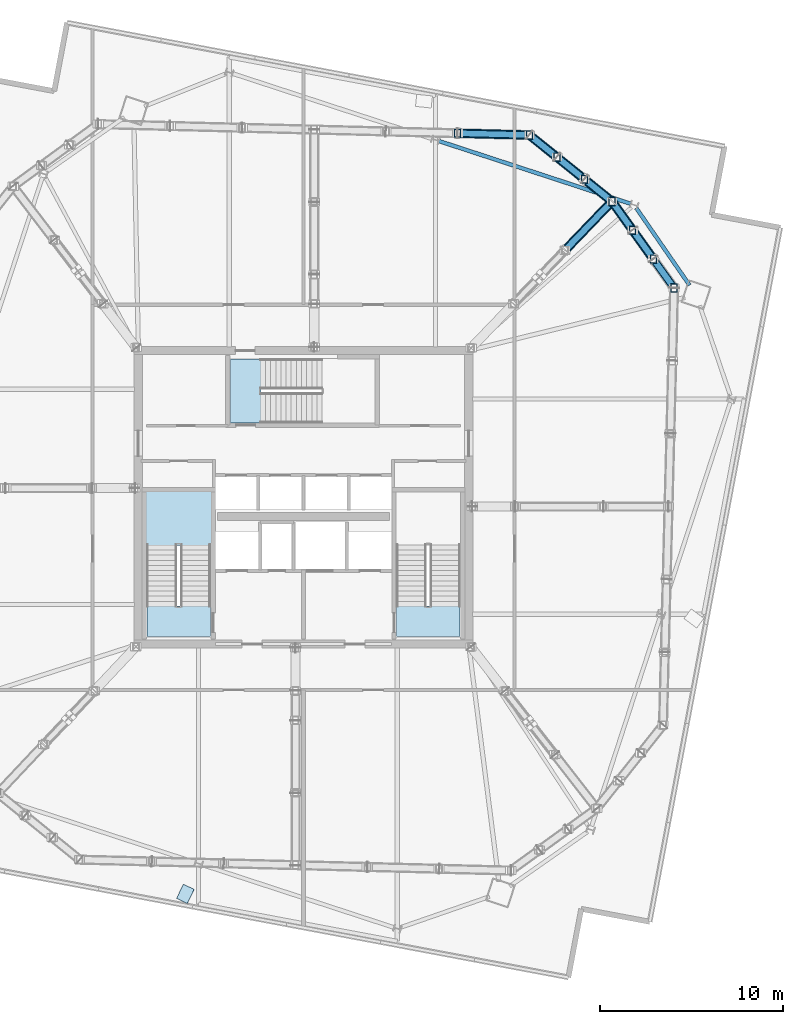
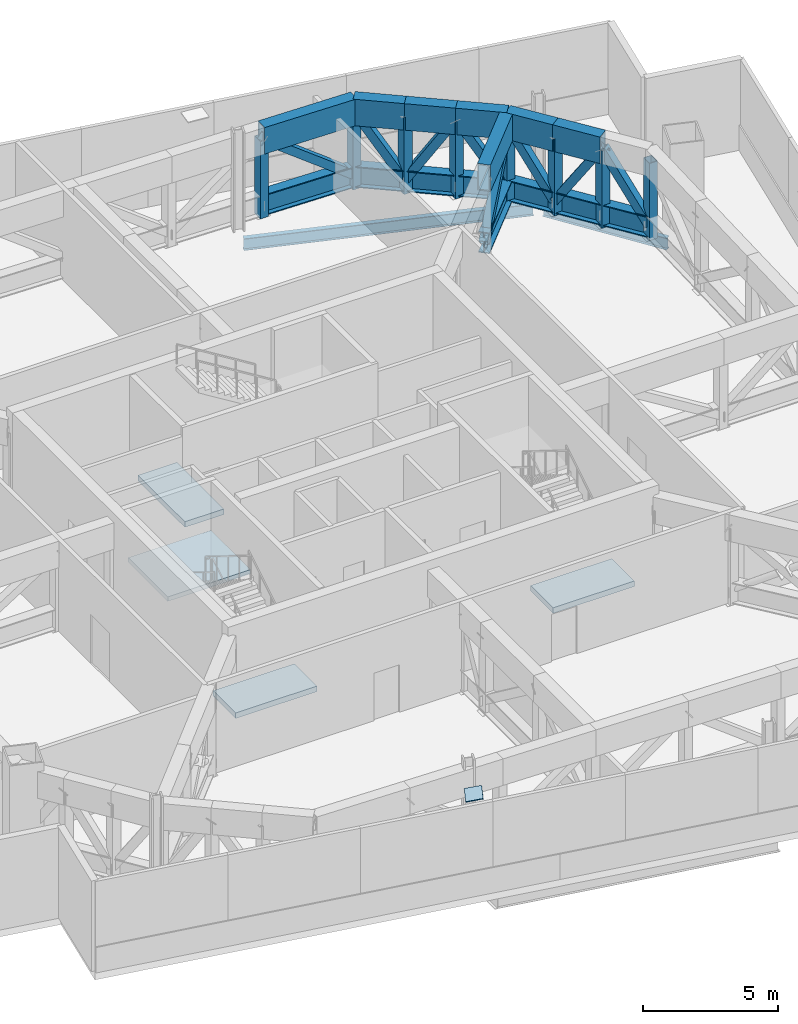
# One storey, part 5 of 15: 31 members, 4 slabs, 2 beams, 1 plate, 1 element without a shape of its own.
"""IFC4 building model written with IfcOpenShell, lengths in metres."""

from ifc_helpers import new_model, si_unit, direction, frame, origin, origin_2d, place, context, subcontext, project, spatial, polyline, rectangle, hollow_rectangle, i_section, outline, extrude, source, transform, mapped, material, layer, layer_set, material_profile, profile_set, type_object, element, aggregate, save


model = new_model("IFC4")

# Units and contexts
model_context = context("Model", 3, precision=1e-05, world=origin(), true_north=direction((0.0, 1.0)))
body_context = subcontext(model_context, "Body", "Model", "MODEL_VIEW")
ifc_project = project(units=[si_unit("LENGTHUNIT", "METRE"), si_unit("AREAUNIT", "SQUARE_METRE"), si_unit("VOLUMEUNIT", "CUBIC_METRE"), si_unit("PLANEANGLEUNIT", "RADIAN"), si_unit("MASSUNIT", "GRAM", prefix="KILO")], contexts=[model_context])

# Site, building, storey
site_placement = place(None, origin())
site = spatial("IfcSite", under=ifc_project, at=site_placement, CompositionType="ELEMENT")
building_placement = place(site_placement, origin())
building = spatial("IfcBuilding", under=site, at=building_placement, Name="Haldenkirk Collegiate Tower", CompositionType="ELEMENT")
storey_placement = place(building_placement, frame((0.0, 0.0, 293.699951171875)))
storey = spatial("IfcBuildingStorey", under=building, at=storey_placement, Name="L74", CompositionType="ELEMENT", Elevation=293.699951171875)

# Beams
ifc_material_1 = material(Name="Steel ASTM A992 Grade 50", Category="steel")
ifc_material_profile_1 = material_profile(ifc_material_1, i_section(OverallWidth=0.2099609375, OverallDepth=0.537109375, WebThickness=0.010986328125, FlangeThickness=0.017333984375, at=origin_2d()), Name="W21X68")
ifc_profile_set_1 = profile_set([ifc_material_profile_1], Name="Steel ASTM A992 Grade 50")
beam_type = type_object("IfcBeamType", Name="BM-SPANDREL-W21X68", PredefinedType="SPANDREL", material=ifc_profile_set_1)
beam_1_placement = place(storey_placement, frame((57.037841796875, 37.56201171875, -0.678466796875), z_axis=(-0.568092176681, 0.822964931692, 0.0), x_axis=(-0.822964931692, -0.568092176681, 0.0)))
element("IfcBeam", 1, at=beam_1_placement, inside=storey, type_object=beam_type, Name="L74 perimeter spandrel beam 05", PredefinedType="SPANDREL", context=body_context, shape_type="SweptSolid", body=[
    extrude(i_section(OverallWidth=0.2099609375, OverallDepth=0.537109375, WebThickness=0.010986328125, FlangeThickness=0.017333984375, at=origin_2d()), origin(), (0.0, 0.0, 1.0), 5.11328125),
])
beam_2_placement = place(storey_placement, frame((53.825439453125, 41.99951171875, -0.678466796875), z_axis=(-0.950402144652, 0.311023734531, 0.0), x_axis=(-0.311023734531, -0.950402144652, 0.0)))
element("IfcBeam", 2, at=beam_2_placement, inside=storey, type_object=beam_type, Name="L74 perimeter spandrel beam 06", PredefinedType="SPANDREL", context=body_context, shape_type="SweptSolid", body=[
    extrude(i_section(OverallWidth=0.2099609375, OverallDepth=0.537109375, WebThickness=0.010986328125, FlangeThickness=0.017333984375, at=origin_2d()), origin(), (0.0, 0.0, 1.0), 10.98779296875),
])

# Members
ifc_material_2 = material(Name="Steel ASTM A572 Grade 50", Category="steel")
ifc_material_profile_2 = material_profile(ifc_material_2, hollow_rectangle(XDim=0.5, YDim=1.199951171875, WallThickness=0.050048828125, at=origin_2d()), Name="BOX1200X500X50")
ifc_profile_set_2 = profile_set([ifc_material_profile_2], Name="Steel ASTM A572 Grade 50")
member_type_1 = type_object("IfcMemberType", Name="MBR-CHORD-BOX1200", PredefinedType="CHORD", material=ifc_profile_set_2)
member_1_placement = place(storey_placement, frame((50.255126953125, 39.468017578125, 3.5), z_axis=(0.692981832491, 0.720955047029, 0.0), x_axis=(-0.720955047029, 0.692981832491, 0.0)))
element("IfcMember", 3, at=member_1_placement, inside=storey, type_object=member_type_1, Name="Outrigger Truss L74 Radial 02 top chord 3", PredefinedType="CHORD", context=body_context, shape_type="SweptSolid", body=[
    extrude(hollow_rectangle(XDim=0.5, YDim=1.199951171875, WallThickness=0.050048828125, at=origin_2d()), origin(), (0.0, 0.0, 1.0), 3.69189453125),
])
for number, where, z_axis, x_axis, name in (
    (4, (55.068115234375, 38.982421875, 3.5), (-0.582442555928, 0.812871865083, 0.0), (-0.812871865083, -0.582442555928, 0.0), "Belt Truss L74-04 top chord 2"),
    (5, (53.940673828125, 40.555908203125, 3.5), (-0.582299499263, 0.812974349631, 0.0), (-0.812974349631, -0.582299499263, 0.0), "Belt Truss L74-04 top chord 3"),
):
    element("IfcMember", number, at=place(storey_placement, frame(where, z_axis=z_axis, x_axis=x_axis)), inside=storey, type_object=member_type_1, Name=name, PredefinedType="CHORD", context=body_context, shape_type="SweptSolid", body=[
        extrude(hollow_rectangle(XDim=0.5, YDim=1.199951171875, WallThickness=0.050048828125, at=origin_2d()), origin(), (0.0, 0.0, 1.0), 1.935791015625),
    ])
member_2_placement = place(storey_placement, frame((52.8134765625, 42.129638671875, 3.5), z_axis=(-0.779679248383, 0.626179103485, 0.0), x_axis=(-0.626179103485, -0.779679248383, 0.0)))
element("IfcMember", 6, at=member_2_placement, inside=storey, type_object=member_type_1, Name="Belt Truss L74-05 top chord 1", PredefinedType="CHORD", context=body_context, shape_type="SweptSolid", body=[
    extrude(hollow_rectangle(XDim=0.5, YDim=1.199951171875, WallThickness=0.050048828125, at=origin_2d()), origin(), (0.0, 0.0, 1.0), 1.924560546875),
])
for number, where, z_axis, x_axis, name in (
    (7, (51.31298828125, 43.334716796875, 3.5), (-0.779728982697, 0.626117172375, 0.0), (-0.626117172375, -0.779728982697, 0.0), "Belt Truss L74-05 top chord 2"),
    (8, (49.812255859375, 44.539794921875, 3.5), (-0.779728982697, 0.626117172375, 0.0), (-0.626117172375, -0.779728982697, 0.0), "Belt Truss L74-05 top chord 3"),
):
    element("IfcMember", number, at=place(storey_placement, frame(where, z_axis=z_axis, x_axis=x_axis)), inside=storey, type_object=member_type_1, Name=name, PredefinedType="CHORD", context=body_context, shape_type="SweptSolid", body=[
        extrude(hollow_rectangle(XDim=0.5, YDim=1.199951171875, WallThickness=0.050048828125, at=origin_2d()), origin(), (0.0, 0.0, 1.0), 1.9248046875),
    ])
member_3_placement = place(storey_placement, frame((48.3115234375, 45.744873046875, 3.5), z_axis=(-0.999680351897, 0.025282286906, 0.0), x_axis=(-0.025282286906, -0.999680351897, 0.0)))
element("IfcMember", 9, at=member_3_placement, inside=storey, type_object=member_type_1, Name="Belt Truss L74-06 top chord 1", PredefinedType="CHORD", context=body_context, shape_type="SweptSolid", body=[
    extrude(hollow_rectangle(XDim=0.5, YDim=1.199951171875, WallThickness=0.050048828125, at=origin_2d()), origin(), (0.0, 0.0, 1.0), 3.910888671875),
])
ifc_material_3 = material(Name="Steel ASTM A913 Grade 65", Category="steel")
ifc_material_profile_3 = material_profile(ifc_material_3, i_section(OverallWidth=0.423095703125, OverallDepth=0.947998046875, WebThickness=0.02392578125, FlangeThickness=0.042724609375, at=origin_2d()), Name="W36X302")
ifc_profile_set_3 = profile_set([ifc_material_profile_3], Name="Steel ASTM A913 Grade 65")
member_type_2 = type_object("IfcMemberType", Name="MBR-CHORD-W36X302", PredefinedType="CHORD", material=ifc_profile_set_3)
member_4_placement = place(storey_placement, frame((50.255126953125, 39.468017578125, 0.550048828125), z_axis=(0.692981832491, 0.720955047029, 0.0), x_axis=(-0.720955047029, 0.692981832491, 0.0)))
element("IfcMember", 10, at=member_4_placement, inside=storey, type_object=member_type_2, Name="Outrigger Truss L74 Radial 02 bottom chord 3", PredefinedType="CHORD", context=body_context, shape_type="SweptSolid", body=[
    extrude(i_section(OverallWidth=0.423095703125, OverallDepth=0.947998046875, WebThickness=0.02392578125, FlangeThickness=0.042724609375, at=origin_2d()), origin(), (0.0, 0.0, 1.0), 3.69189453125),
])
for number, where, z_axis, x_axis, name in (
    (11, (56.1953125, 37.40869140625, 0.550048828125), (-0.582299499263, 0.812974349631, 0.0), (-0.812974349631, -0.582299499263, 0.0), "Belt Truss L74-04 bottom chord 1"),
    (12, (55.068115234375, 38.982421875, 0.550048828125), (-0.582442555928, 0.812871865083, 0.0), (-0.812871865083, -0.582442555928, 0.0), "Belt Truss L74-04 bottom chord 2"),
    (13, (53.940673828125, 40.555908203125, 0.550048828125), (-0.582299499263, 0.812974349631, 0.0), (-0.812974349631, -0.582299499263, 0.0), "Belt Truss L74-04 bottom chord 3"),
):
    element("IfcMember", number, at=place(storey_placement, frame(where, z_axis=z_axis, x_axis=x_axis)), inside=storey, type_object=member_type_2, Name=name, PredefinedType="CHORD", context=body_context, shape_type="SweptSolid", body=[
        extrude(i_section(OverallWidth=0.423095703125, OverallDepth=0.947998046875, WebThickness=0.02392578125, FlangeThickness=0.042724609375, at=origin_2d()), origin(), (0.0, 0.0, 1.0), 1.935791015625),
    ])
member_5_placement = place(storey_placement, frame((52.8134765625, 42.129638671875, 0.550048828125), z_axis=(-0.779679248383, 0.626179103485, 0.0), x_axis=(-0.626179103485, -0.779679248383, 0.0)))
element("IfcMember", 14, at=member_5_placement, inside=storey, type_object=member_type_2, Name="Belt Truss L74-05 bottom chord 1", PredefinedType="CHORD", context=body_context, shape_type="SweptSolid", body=[
    extrude(i_section(OverallWidth=0.423095703125, OverallDepth=0.947998046875, WebThickness=0.02392578125, FlangeThickness=0.042724609375, at=origin_2d()), origin(), (0.0, 0.0, 1.0), 1.924560546875),
])
for number, where, z_axis, x_axis, name in (
    (15, (51.31298828125, 43.334716796875, 0.550048828125), (-0.779728982697, 0.626117172375, 0.0), (-0.626117172375, -0.779728982697, 0.0), "Belt Truss L74-05 bottom chord 2"),
    (16, (49.812255859375, 44.539794921875, 0.550048828125), (-0.779728982697, 0.626117172375, 0.0), (-0.626117172375, -0.779728982697, 0.0), "Belt Truss L74-05 bottom chord 3"),
):
    element("IfcMember", number, at=place(storey_placement, frame(where, z_axis=z_axis, x_axis=x_axis)), inside=storey, type_object=member_type_2, Name=name, PredefinedType="CHORD", context=body_context, shape_type="SweptSolid", body=[
        extrude(i_section(OverallWidth=0.423095703125, OverallDepth=0.947998046875, WebThickness=0.02392578125, FlangeThickness=0.042724609375, at=origin_2d()), origin(), (0.0, 0.0, 1.0), 1.9248046875),
    ])
member_6_placement = place(storey_placement, frame((48.3115234375, 45.744873046875, 0.550048828125), z_axis=(-0.999680351897, 0.025282286906, 0.0), x_axis=(-0.025282286906, -0.999680351897, 0.0)))
element("IfcMember", 17, at=member_6_placement, inside=storey, type_object=member_type_2, Name="Belt Truss L74-06 bottom chord 1", PredefinedType="CHORD", context=body_context, shape_type="SweptSolid", body=[
    extrude(i_section(OverallWidth=0.423095703125, OverallDepth=0.947998046875, WebThickness=0.02392578125, FlangeThickness=0.042724609375, at=origin_2d()), origin(), (0.0, 0.0, 1.0), 3.910888671875),
])
ifc_material_profile_4 = material_profile(ifc_material_2, hollow_rectangle(XDim=0.35009765625, YDim=0.35009765625, WallThickness=0.01611328125, at=origin_2d()), Name="HSS350X350X16")
ifc_profile_set_4 = profile_set([ifc_material_profile_4], Name="Steel ASTM A572 Grade 50")
member_type_3 = type_object("IfcMemberType", Name="MBR-TRUSSDIAG-HSS350X350X16", PredefinedType="BRACE", material=ifc_profile_set_4)
member_7_placement = place(storey_placement, frame((50.255126953125, 39.468017578125, 0.550048828125), z_axis=(0.541377316507, 0.563230795358, 0.624244881702), x_axis=(-0.720955047029, 0.692981832491, 0.0)))
element("IfcMember", 18, at=member_7_placement, inside=storey, type_object=member_type_3, Name="Outrigger Truss L74 Radial 02 web diagonal 3", PredefinedType="BRACE", context=body_context, shape_type="SweptSolid", body=[
    extrude(hollow_rectangle(XDim=0.35009765625, YDim=0.35009765625, WallThickness=0.01611328125, at=origin_2d()), origin(), (0.0, 0.0, 1.0), 4.7255859375),
])
for number, where, z_axis, x_axis, name in (
    (19, (56.1953125, 37.40869140625, 0.550048828125), (-0.319466619459, 0.446021622057, 0.836065662319), (-0.812974349631, -0.582299499263, 0.0), "Belt Truss L74-04 web diagonal 1"),
    (20, (55.068115234375, 38.982421875, 3.5), (-0.319538609624, 0.445956331535, -0.836072979664), (-0.812871865083, -0.582442555928, 0.0), "Belt Truss L74-04 web diagonal 2"),
    (21, (53.940673828125, 40.555908203125, 0.550048828125), (-0.319466619459, 0.446021622057, 0.836065662319), (-0.812974349631, -0.582299499263, 0.0), "Belt Truss L74-04 web diagonal 3"),
):
    element("IfcMember", number, at=place(storey_placement, frame(where, z_axis=z_axis, x_axis=x_axis)), inside=storey, type_object=member_type_3, Name=name, PredefinedType="BRACE", context=body_context, shape_type="SweptSolid", body=[
        extrude(hollow_rectangle(XDim=0.35009765625, YDim=0.35009765625, WallThickness=0.01611328125, at=origin_2d()), origin(), (0.0, 0.0, 1.0), 3.5283203125),
    ])
for number, where, z_axis, x_axis, name in (
    (22, (52.8134765625, 42.129638671875, 0.550048828125), (-0.426008868237, 0.342137939085, 0.837530939621), (-0.626179103485, -0.779679248383, 0.0), "Belt Truss L74-05 web diagonal 1"),
    (23, (51.31298828125, 43.334716796875, 3.5), (-0.426065601042, 0.342127835813, -0.837506207482), (-0.626117172375, -0.779728982697, 0.0), "Belt Truss L74-05 web diagonal 2"),
    (24, (49.812255859375, 44.539794921875, 0.550048828125), (-0.426065601042, 0.342127835813, 0.837506207482), (-0.626117172375, -0.779728982697, 0.0), "Belt Truss L74-05 web diagonal 3"),
):
    element("IfcMember", number, at=place(storey_placement, frame(where, z_axis=z_axis, x_axis=x_axis)), inside=storey, type_object=member_type_3, Name=name, PredefinedType="BRACE", context=body_context, shape_type="SweptSolid", body=[
        extrude(hollow_rectangle(XDim=0.35009765625, YDim=0.35009765625, WallThickness=0.01611328125, at=origin_2d()), origin(), (0.0, 0.0, 1.0), 3.522216796875),
    ])
member_8_placement = place(storey_placement, frame((48.3115234375, 45.744873046875, 0.550048828125), z_axis=(-0.798099330813, 0.020184228112, 0.602187724129), x_axis=(-0.025282286906, -0.999680351897, 0.0)))
element("IfcMember", 25, at=member_8_placement, inside=storey, type_object=member_type_3, Name="Belt Truss L74-06 web diagonal 1", PredefinedType="BRACE", context=body_context, shape_type="SweptSolid", body=[
    extrude(hollow_rectangle(XDim=0.35009765625, YDim=0.35009765625, WallThickness=0.01611328125, at=origin_2d()), origin(), (0.0, 0.0, 1.0), 4.898681640625),
])
ifc_material_profile_5 = material_profile(ifc_material_2, hollow_rectangle(XDim=0.35009765625, YDim=0.449951171875, WallThickness=0.02197265625, at=origin_2d()), Name="HSS450X350X22")
ifc_profile_set_5 = profile_set([ifc_material_profile_5], Name="Steel ASTM A572 Grade 50")
member_type_4 = type_object("IfcMemberType", Name="MBR-TRUSSPOST-HSS450X350X22", PredefinedType="POST", material=ifc_profile_set_5)
for number, where, z_axis, x_axis, name in (
    (26, (52.8134765625, 42.129638671875, 0.0), (0.0, 0.0, 1.0), (1.0, 0.0, 0.0), "Outrigger Truss L74 Radial 02 vertical post 4"),
    (27, (56.1953125, 37.40869140625, 0.0), (0.0, 0.0, 1.0), (1.0, 0.0, 0.0), "Belt Truss L74-03 vertical post 4"),
    (28, (55.068115234375, 38.982421875, 0.0), (0.0, 0.0, 1.0), (1.0, 0.0, 0.0), "Belt Truss L74-04 vertical post 2"),
    (29, (53.940673828125, 40.555908203125, 0.0), (0.0, 0.0, 1.0), (1.0, 0.0, 0.0), "Belt Truss L74-04 vertical post 3"),
    (30, (51.31298828125, 43.334716796875, 0.0), (0.0, 0.0, 1.0), (1.0, 0.0, 0.0), "Belt Truss L74-05 vertical post 2"),
    (31, (49.812255859375, 44.539794921875, 0.0), (0.0, 0.0, 1.0), (1.0, 0.0, 0.0), "Belt Truss L74-05 vertical post 3"),
    (32, (48.3115234375, 45.744873046875, 0.0), (0.0, 0.0, 1.0), (1.0, 0.0, 0.0), "Belt Truss L74-05 vertical post 4"),
    (33, (44.40185546875, 45.84375, 0.0), (0.0, 0.0, 1.0), (1.0, 0.0, 0.0), "Belt Truss L74-06 vertical post 2"),
):
    element("IfcMember", number, at=place(storey_placement, frame(where, z_axis=z_axis, x_axis=x_axis)), inside=storey, type_object=member_type_4, Name=name, PredefinedType="POST", context=body_context, shape_type="SweptSolid", body=[
        extrude(hollow_rectangle(XDim=0.35009765625, YDim=0.449951171875, WallThickness=0.02197265625, at=origin_2d()), origin(), (0.0, 0.0, 1.0), 3.5),
    ])

# Stair, slab
ifc_material_4 = material(Name="Concrete f'c 40 MPa", Category="concrete")
stair_type = type_object("IfcStairType", Name="STR-DOGLEG-1650", PredefinedType="HALF_TURN_STAIR", material=ifc_material_4)
stair_placement = place(storey_placement, origin())
stair = element("IfcStair", 34, at=stair_placement, inside=storey, type_object=stair_type, Name="L74 Core Exit Stair ST-1", PredefinedType="HALF_TURN_STAIR")
ifc_layer_1 = layer(ifc_material_4, 0.199951171875)
ifc_layer_set_1 = layer_set([ifc_layer_1], Name="Concrete f'c 40 MPa")
slab_type_1 = type_object("IfcSlabType", Name="SLB-LANDING-200", PredefinedType="LANDING", material=ifc_layer_set_1)
slab_1_placement = place(storey_placement, frame((0.0, 0.0, 2.050048828125)))
slab_1 = element("IfcSlab", 35, at=slab_1_placement, type_object=slab_type_1, Name="ST-1 landing 1", PredefinedType="LANDING", context=body_context, shape_type="SweptSolid", body=[
    extrude(outline(polyline([(30.97509765625, 23.385009765625), (27.425048828125, 23.385009765625), (27.425048828125, 26.324951171875), (30.97509765625, 26.324951171875), (30.97509765625, 23.385009765625)])), origin(), (0.0, 0.0, 1.0), 0.199951171875),
])
aggregate(stair, [slab_1])

# Slabs
ifc_layer_2 = layer(ifc_material_4, 0.25)
ifc_layer_set_2 = layer_set([ifc_layer_2], Name="Concrete f'c 40 MPa")
slab_type_2 = type_object("IfcSlabType", Name="SLB-STAIRLAND-250", PredefinedType="LANDING", material=ifc_layer_set_2)
slab_2_placement = place(storey_placement, frame((0.0, 0.0, -0.25)))
element("IfcSlab", 36, at=slab_2_placement, inside=storey, type_object=slab_type_2, Name="L74 stair ST1 structural floor landing slab", PredefinedType="LANDING", context=body_context, shape_type="SweptSolid", body=[
    extrude(outline(polyline([(27.4599609375, 18.409912109375), (30.93994140625, 18.409912109375), (30.93994140625, 20.080078125), (27.4599609375, 20.080078125), (27.4599609375, 18.409912109375)])), origin(), (0.0, 0.0, 1.0), 0.25),
])
slab_3_placement = place(storey_placement, frame((0.0, 0.0, -0.25)))
element("IfcSlab", 37, at=slab_3_placement, inside=storey, type_object=slab_type_2, Name="L74 stair ST2 structural floor landing slab", PredefinedType="LANDING", context=body_context, shape_type="SweptSolid", body=[
    extrude(outline(polyline([(41.06005859375, 18.409912109375), (44.5400390625, 18.409912109375), (44.5400390625, 20.080078125), (41.06005859375, 20.080078125), (41.06005859375, 18.409912109375)])), origin(), (0.0, 0.0, 1.0), 0.25),
])
slab_4_placement = place(storey_placement, frame((0.0, 0.0, -0.25)))
element("IfcSlab", 38, at=slab_4_placement, inside=storey, type_object=slab_type_2, Name="L74 stair ST3 structural floor landing slab", PredefinedType="LANDING", context=body_context, shape_type="SweptSolid", body=[
    extrude(outline(polyline([(32.010009765625, 30.06005859375), (33.679931640625, 30.06005859375), (33.679931640625, 33.5400390625), (32.010009765625, 33.5400390625), (32.010009765625, 30.06005859375)])), origin(), (0.0, 0.0, 1.0), 0.25),
])

# Plate
ifc_layer_3 = layer(ifc_material_2, 0.034912109375)
ifc_layer_set_3 = layer_set([ifc_layer_3], Name="Steel ASTM A572 Grade 50")
plate_type = type_object("IfcPlateType", Name="PLT-CAP-EXT-760X600", PredefinedType="USERDEFINED", material=ifc_layer_set_3)
shared_shape = source(origin(), body_context, "Body", "SweptSolid", [
    extrude(rectangle(XDim=0.860107421875, YDim=0.659912109375, at=origin_2d()), origin(), (0.0, 0.0, 1.0), 0.034912109375),
])
plate_placement = place(storey_placement, frame((29.56494140625, 4.38525390625, 4.087158203125), z_axis=(-0.158310985849, 0.077209993098, 0.984365912009), x_axis=(-0.438354199563, -0.898802311816, 2.38538e-07)))
element("IfcPlate", 39, at=plate_placement, inside=storey, type_object=plate_type, Name="Perimeter Mega Brace Z5 L73-L74 WL end cap plate 2", ObjectType="END CAP PLATE", PredefinedType="USERDEFINED", context=body_context, shape_type="MappedRepresentation", body=[
    mapped(shared_shape, transform((0.0, 0.0, 0.0), x_axis=(1.0, 0.0, 0.0), y_axis=(0.0, 1.0, 0.0), z_axis=(0.0, 0.0, 1.0), scale=1.0)),
])

save(model, "model.ifc")
